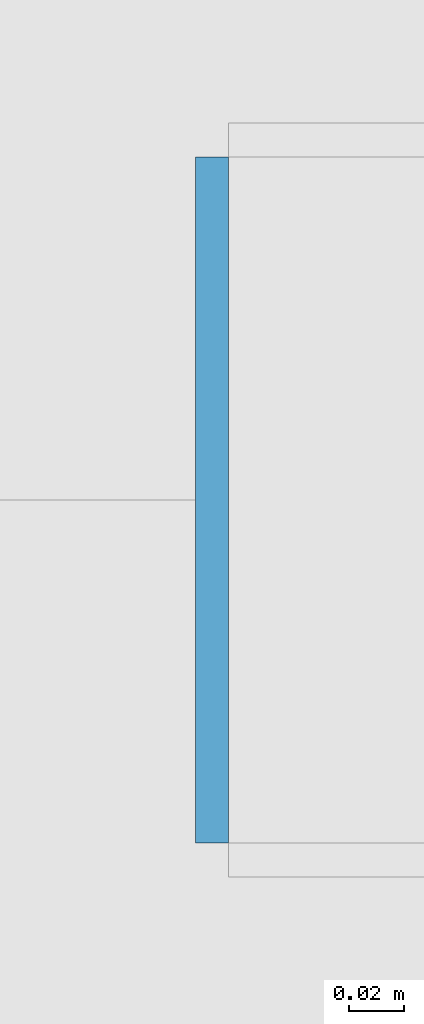
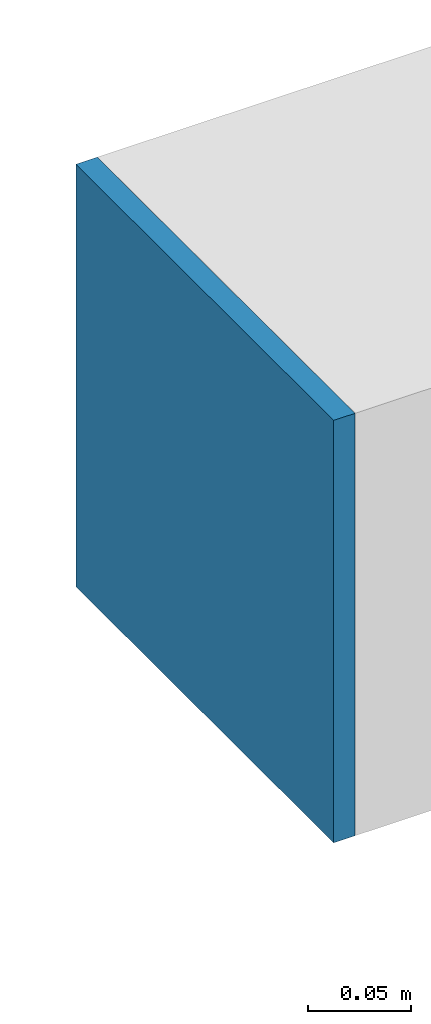
# One storey, part 46 of 59: 1 plate.
"""IFC4 building model written with IfcOpenShell, lengths in metres."""

from ifc_helpers import new_model, si_unit, direction, frame, origin, origin_2d, place, context, subcontext, project, spatial, rectangle, extrude, source, transform, mapped, material, layer, layer_set, type_object, element, save


model = new_model("IFC4")

# Units and contexts
model_context = context("Model", 3, precision=1e-05, world=origin(), true_north=direction((0.0, 1.0)))
body_context = subcontext(model_context, "Body", "Model", "MODEL_VIEW")
ifc_project = project(units=[si_unit("LENGTHUNIT", "METRE"), si_unit("AREAUNIT", "SQUARE_METRE"), si_unit("VOLUMEUNIT", "CUBIC_METRE"), si_unit("PLANEANGLEUNIT", "RADIAN"), si_unit("MASSUNIT", "GRAM", prefix="KILO")], contexts=[model_context])

# Site, building, storey
site_placement = place(None, origin())
site = spatial("IfcSite", under=ifc_project, at=site_placement, CompositionType="ELEMENT")
building_placement = place(site_placement, origin())
building = spatial("IfcBuilding", under=site, at=building_placement, Name="Taldren Reach Tower", CompositionType="ELEMENT")
storey_placement = place(building_placement, frame((0.0, 0.0, 23.10009765625)))
storey = spatial("IfcBuildingStorey", under=building, at=storey_placement, Name="L06", CompositionType="ELEMENT", Elevation=23.10009765625)

# Plate
ifc_material = material(Name="Steel Gr 350 (C350L0)", Category="steel")
ifc_layer = layer(ifc_material, 0.011962890625)
ifc_layer_set = layer_set([ifc_layer], Name="Steel Gr 350 (C350L0)")
plate_type = type_object("IfcPlateType", Name="PL-CAP-250", PredefinedType="SHEET", material=ifc_layer_set)
shared_shape = source(origin(), body_context, "Body", "SweptSolid", [
    extrude(rectangle(XDim=0.011962890625, YDim=0.25, at=origin_2d()), origin(), (0.0, 0.0, 1.0), 0.25),
])
plate_placement = place(storey_placement, frame((4.093994140625, 20.0, 0.094970703125), z_axis=(0.0, 0.0, 1.0), x_axis=(1.0, 0.0, 0.0)))
element("IfcPlate", 1, at=plate_placement, inside=storey, type_object=plate_type, Name="Tie strut end cap plate B1-W2 L06", PredefinedType="SHEET", context=body_context, shape_type="MappedRepresentation", body=[
    mapped(shared_shape, transform((0.0, 0.0, 0.0), scale=1.0)),
])

save(model, "model.ifc")
